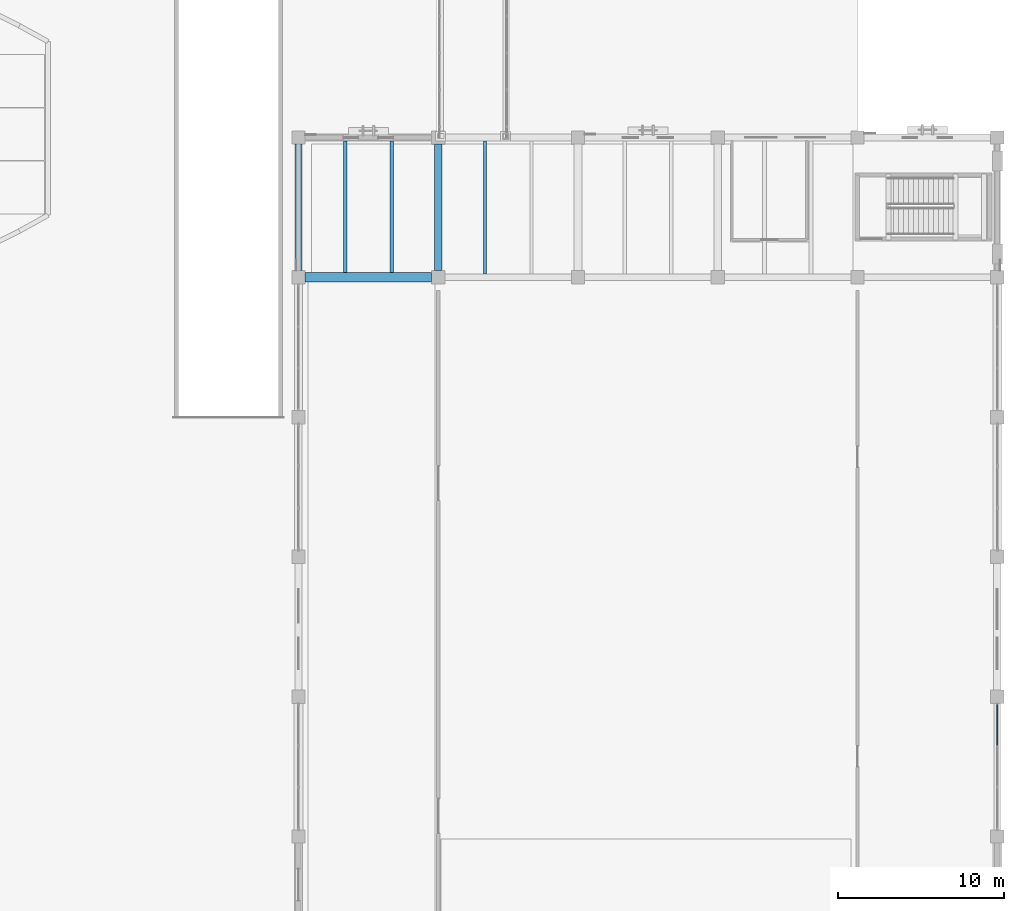
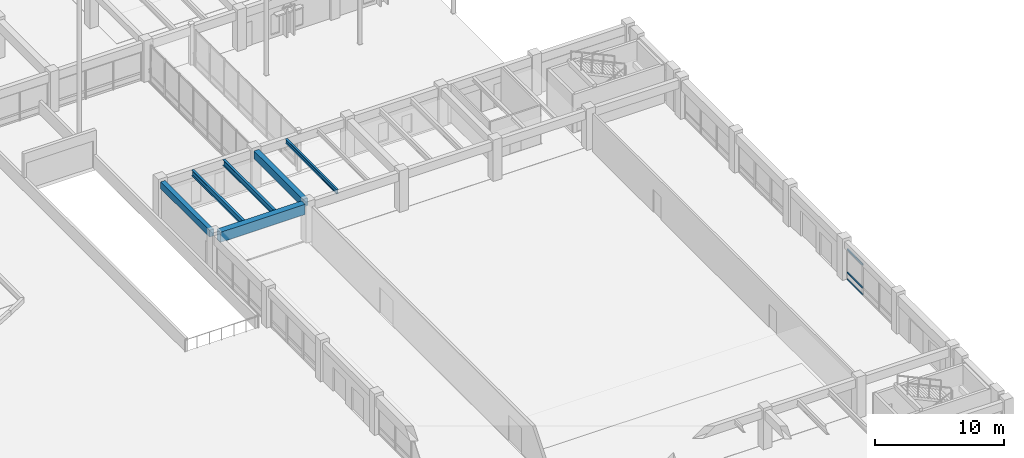
# One storey, part 55 of 135: 6 beams, 3 members, 1 element without a shape of its own.
"""IFC4 building model written with IfcOpenShell, lengths in metres."""

import ifcopenshell
import ifcopenshell.guid

model = None  # the IFC model being written
_history = None  # IfcOwnerHistory: only IFC2X3 demands one
_inside = {}  # id of a spatial element -> (the spatial element, [elements in it])
_under = {}  # id of a project, library or spatial element -> (it, [spatial elements below it])
_declared = {}  # id of a project -> (the project, [libraries it declares])
_typed = {}  # id of a type object -> (the type object, [elements of that type])
_made_of = {}  # id of a material, layer set ... -> (it, [elements and type objects made of it])


def new_model(schema):
    """Start an empty IFC model of exactly this schema.

    Asked for "IFC4X3", IfcOpenShell would pick the latest addendum, in which some entities
    have other attributes; the version numbers below select the first issue.
    IFC2X3 requires an IfcOwnerHistory on every rooted entity: one is made here for all.
    """
    global model, _history
    if schema == "IFC4X3":
        model = ifcopenshell.file(schema_version=(4, 3, 0, 0))
    else:
        model = ifcopenshell.file(schema=schema)
    _inside.clear()
    _under.clear()
    _declared.clear()
    _typed.clear()
    _made_of.clear()
    _history = None
    if model.schema == "IFC2X3":
        org = make("IfcOrganization", Name="unknown")
        user = make(
            "IfcPersonAndOrganization",
            ThePerson=make("IfcPerson", FamilyName="unknown"),
            TheOrganization=org,
        )
        app = make(
            "IfcApplication",
            ApplicationDeveloper=org,
            Version="unknown",
            ApplicationFullName="unknown",
            ApplicationIdentifier="unknown",
        )
        _history = make(
            "IfcOwnerHistory",
            OwningUser=user,
            OwningApplication=app,
            ChangeAction="ADDED",
            CreationDate=0,
        )
    return model


def make(cls, **values):
    """One entity of the class cls with the attributes given. An attribute that is None is left unset."""
    return model.create_entity(
        cls, **{name: value for name, value in values.items() if value is not None}
    )


def rooted(cls, **values):
    """An entity with a GlobalId (a new one), such as an element, a storey or a relation."""
    return make(cls, GlobalId=ifcopenshell.guid.new(), OwnerHistory=_history, **values)


def si_unit(unit_type, name, prefix=None):
    """IfcSIUnit, for example si_unit("LENGTHUNIT", "METRE", prefix="MILLI")."""
    return make("IfcSIUnit", UnitType=unit_type, Prefix=prefix, Name=name)


def assignment(units):
    """IfcUnitAssignment: the units of a project."""
    return None if units is None else make("IfcUnitAssignment", Units=units)


def point(xyz):
    """IfcCartesianPoint."""
    return None if xyz is None else make("IfcCartesianPoint", Coordinates=xyz)


def direction(xyz):
    """IfcDirection."""
    return None if xyz is None else make("IfcDirection", DirectionRatios=xyz)


def frame(location, z_axis=None, x_axis=None):
    """IfcAxis2Placement3D, a coordinate frame: its origin and axes. An axis left out is left unset."""
    return make(
        "IfcAxis2Placement3D",
        Location=point(location),
        Axis=direction(z_axis),
        RefDirection=direction(x_axis),
    )


def frame_2d(location, x_axis=None):
    """IfcAxis2Placement2D, a coordinate frame in the plane: its origin and x axis."""
    return make(
        "IfcAxis2Placement2D", Location=point(location), RefDirection=direction(x_axis)
    )


def origin():
    """The frame at (0, 0, 0) with its axes left unset."""
    return frame((0.0, 0.0, 0.0))


def origin_2d():
    """The frame at (0, 0) in the plane with its x axis left unset."""
    return frame_2d((0.0, 0.0))


def place(relative_to, where):
    """IfcLocalPlacement: puts the frame where relative to a parent placement (None: the world)."""
    return make(
        "IfcLocalPlacement", PlacementRelTo=relative_to, RelativePlacement=where
    )


def context(
    kind, dimensions, precision=None, world=None, true_north=None, identifier=None
):
    """IfcGeometricRepresentationContext, for example the 3D "Model" context."""
    return make(
        "IfcGeometricRepresentationContext",
        ContextIdentifier=identifier,
        ContextType=kind,
        CoordinateSpaceDimension=dimensions,
        Precision=precision,
        WorldCoordinateSystem=world,
        TrueNorth=true_north,
    )


def subcontext(parent, identifier, kind, view, scale=None):
    """IfcGeometricRepresentationSubContext, for example "Body" below "Model"."""
    return make(
        "IfcGeometricRepresentationSubContext",
        ContextIdentifier=identifier,
        ContextType=kind,
        ParentContext=parent,
        TargetScale=scale,
        TargetView=view,
    )


def project(units=None, contexts=None):
    """IfcProject with its units and contexts."""
    return rooted(
        "IfcProject",
        Name="project",
        RepresentationContexts=contexts,
        UnitsInContext=assignment(units),
    )


def spatial(cls, under=None, at=None, **own):
    """A site, building, storey or space (cls), placed at a placement, below another one or the project."""
    s = rooted(cls, ObjectPlacement=at, **own)
    if under is not None:
        _under.setdefault(under.id(), (under, []))[1].append(s)
    return s


def profile(cls, at=None, kind="AREA", **sizes):
    """A parametric profile (cls). Its sizes go by their IFC names, for example OverallWidth=200.0."""
    return make(cls, ProfileType=kind, Position=at, **sizes)


def rectangle(**sizes):
    """IfcRectangleProfileDef."""
    return profile("IfcRectangleProfileDef", **sizes)


def i_section(**sizes):
    """IfcIShapeProfileDef."""
    return profile("IfcIShapeProfileDef", **sizes)


def extrude(swept, where, along, depth):
    """IfcExtrudedAreaSolid: the profile swept, set in the frame where, extruded along a direction by depth."""
    return make(
        "IfcExtrudedAreaSolid",
        SweptArea=swept,
        Position=where,
        ExtrudedDirection=direction(along),
        Depth=depth,
    )


def shape(context_of_items, identifier, shape_type, items):
    """IfcShapeRepresentation: the items that make up one representation, for example the "Body"."""
    return make(
        "IfcShapeRepresentation",
        ContextOfItems=context_of_items,
        RepresentationIdentifier=identifier,
        RepresentationType=shape_type,
        Items=items,
    )


def material(Name=None, Category=None):
    """IfcMaterial."""
    return make("IfcMaterial", Name=Name, Category=Category)


def material_profile(
    of_material, cross_section, Name=None, Category=None, Priority=None
):
    """IfcMaterialProfile: a cross section and its material."""
    return make(
        "IfcMaterialProfile",
        Name=Name,
        Material=of_material,
        Profile=cross_section,
        Priority=Priority,
        Category=Category,
    )


def profile_set(profiles, Name=None, composite=None):
    """IfcMaterialProfileSet."""
    return make(
        "IfcMaterialProfileSet",
        Name=Name,
        MaterialProfiles=profiles,
        CompositeProfile=composite,
    )


def made_of(thing, what):
    """Note that an element or type object is made of a material, layer set ...; save() writes the relation."""
    if what is not None:
        _made_of.setdefault(what.id(), (what, []))[1].append(thing)
    return thing


def type_object(cls, material=None, **own):
    """A type object (cls), such as IfcWallType, which elements share."""
    return made_of(rooted(cls, **own), material)


def element(
    cls,
    number,
    at=None,
    inside=None,
    cuts=None,
    type_object=None,
    material=None,
    context=None,
    identifier="Body",
    shape_type=None,
    held_by="IfcProductDefinitionShape",
    body=None,
    shapes=None,
    **own,
):
    """One element of the class cls, such as IfcWall. Its Tag is "e" and its number.

    at: its placement. inside: the storey or other place that contains it. cuts: it is an
    opening in that element (IfcRelVoidsElement). A single representation is given by context,
    identifier, shape_type and body (its items); several are given by shapes. held_by: the class
    of the entity that holds the representations. save() writes the other relations.
    """
    e = rooted(cls, Tag="e%d" % number, ObjectPlacement=at, **own)
    if body is not None:
        shapes = [shape(context, identifier, shape_type, body)]
    if shapes is not None:
        e.Representation = make(held_by, Representations=shapes)
    if inside is not None:
        _inside.setdefault(inside.id(), (inside, []))[1].append(e)
    if cuts is not None:
        rooted(
            "IfcRelVoidsElement", RelatingBuildingElement=cuts, RelatedOpeningElement=e
        )
    if type_object is not None:
        _typed.setdefault(type_object.id(), (type_object, []))[1].append(e)
    return made_of(e, material)


def aggregate(whole, parts):
    """IfcRelAggregates: a whole, such as a stair, and the parts it consists of."""
    return rooted("IfcRelAggregates", RelatingObject=whole, RelatedObjects=parts)


def save(model, path):
    """Write the relations noted so far, then the file.

    IfcRelAggregates (storeys below a building ...), IfcRelContainedInSpatialStructure (elements
    in a storey), IfcRelDefinesByType, IfcRelAssociatesMaterial and IfcRelDeclares: one each for
    every whole, place, type object, material and project.
    """
    for whole, parts in _under.values():
        aggregate(whole, parts)
    for where, things in _inside.values():
        rooted(
            "IfcRelContainedInSpatialStructure",
            RelatedElements=things,
            RelatingStructure=where,
        )
    for kind, things in _typed.values():
        rooted("IfcRelDefinesByType", RelatedObjects=things, RelatingType=kind)
    for what, things in _made_of.values():
        rooted("IfcRelAssociatesMaterial", RelatedObjects=things, RelatingMaterial=what)
    for by, libraries in _declared.values():
        rooted("IfcRelDeclares", RelatingContext=by, RelatedDefinitions=libraries)
    model.write(path)


model = new_model("IFC4")

# Units and contexts
model_context = context("Model", 3, precision=1e-05, world=origin(), true_north=direction((0.0, 1.0)))
body_context = subcontext(model_context, "Body", "Model", "MODEL_VIEW")
ifc_project = project(units=[si_unit("LENGTHUNIT", "METRE"), si_unit("AREAUNIT", "SQUARE_METRE"), si_unit("VOLUMEUNIT", "CUBIC_METRE"), si_unit("PLANEANGLEUNIT", "RADIAN"), si_unit("MASSUNIT", "GRAM", prefix="KILO")], contexts=[model_context])

# Site, building, storey
site_placement = place(None, origin())
site = spatial("IfcSite", under=ifc_project, at=site_placement, CompositionType="ELEMENT")
building_placement = place(site_placement, origin())
building = spatial("IfcBuilding", under=site, at=building_placement, Name="Cumbredor Promenade Congress Hotel", CompositionType="ELEMENT")
storey_placement = place(building_placement, origin())
storey = spatial("IfcBuildingStorey", under=building, at=storey_placement, Name="L00", CompositionType="ELEMENT", Elevation=0.0)

# Beams
ifc_material_1 = material(Name="Concrete C40/50", Category="concrete")
ifc_material_profile_1 = material_profile(ifc_material_1, rectangle(XDim=0.39990234375, YDim=0.64990234375, at=origin_2d()), Name="RC BEAM 400x650")
ifc_profile_set_1 = profile_set([ifc_material_profile_1], Name="Concrete C40/50")
beam_type_1 = type_object("IfcBeamType", Name="BM-RC-400x650", PredefinedType="BEAM", material=ifc_profile_set_1)
beam_1_placement = place(storey_placement, frame((142.800048828125, 59.199951171875, 3.31494140625), z_axis=(0.0, 1.0, 0.0), x_axis=(-1.0, 0.0, 0.0)))
element("IfcBeam", 1, at=beam_1_placement, inside=storey, type_object=beam_type_1, Name="L01 Y-Grid Beam 222", PredefinedType="BEAM", context=body_context, shape_type="SweptSolid", body=[
    extrude(rectangle(XDim=0.39990234375, YDim=0.64990234375, at=origin_2d()), origin(), (0.0, 0.0, 1.0), 7.60009765625),
])
ifc_material_profile_2 = material_profile(ifc_material_1, rectangle(XDim=0.449951171875, YDim=0.75, at=origin_2d()), Name="RC BEAM 450x750")
ifc_profile_set_2 = profile_set([ifc_material_profile_2], Name="Concrete C40/50")
beam_type_2 = type_object("IfcBeamType", Name="BM-RC-450x750", PredefinedType="BEAM", material=ifc_profile_set_2)
beam_2_placement = place(storey_placement, frame((151.199951171875, 59.199951171875, 3.264892578125), z_axis=(0.0, 1.0, 0.0), x_axis=(-1.0, 0.0, 0.0)))
element("IfcBeam", 2, at=beam_2_placement, inside=storey, type_object=beam_type_2, Name="L01 Y-Grid Beam 231", PredefinedType="BEAM", context=body_context, shape_type="SweptSolid", body=[
    extrude(rectangle(XDim=0.449951171875, YDim=0.75, at=origin_2d()), origin(), (0.0, 0.0, 1.0), 7.60009765625),
])
ifc_material_profile_3 = material_profile(ifc_material_1, rectangle(XDim=0.550048828125, YDim=0.949951171875, at=origin_2d()), Name="RC BEAM 550x950")
ifc_profile_set_3 = profile_set([ifc_material_profile_3], Name="Concrete C40/50")
beam_type_3 = type_object("IfcBeamType", Name="BM-RC-550x950", PredefinedType="BEAM", material=ifc_profile_set_3)
beam_3_placement = place(storey_placement, frame((143.199951171875, 58.800048828125, 3.1650390625), z_axis=(1.0, 0.0, 0.0), x_axis=(0.0, 1.0, 0.0)))
element("IfcBeam", 3, at=beam_3_placement, inside=storey, type_object=beam_type_3, Name="L01 X-Grid Beam 221", PredefinedType="BEAM", context=body_context, shape_type="SweptSolid", body=[
    extrude(rectangle(XDim=0.550048828125, YDim=0.949951171875, at=origin_2d()), origin(), (0.0, 0.0, 1.0), 7.60009765625),
])

# Curtain wall, members
ifc_material_2 = material(Name="Thermally broken anodized aluminium and low-E glass", Category="aluminium")
curtain_wall_type = type_object("IfcCurtainWallType", Name="Unitised Grand Foyer Curtain Wall CW-04", PredefinedType="NOTDEFINED", material=ifc_material_2)
curtain_wall_placement = place(storey_placement, origin())
curtain_wall = element("IfcCurtainWall", 4, at=curtain_wall_placement, inside=storey, type_object=curtain_wall_type, Name="L00 Grand Ballroom Pavilion East Curtain Wall 3", PredefinedType="NOTDEFINED")
ifc_material_3 = material(Name="Thermally broken anodized aluminium", Category="aluminium")
ifc_material_profile_4 = material_profile(ifc_material_3, rectangle(XDim=0.074951171875, YDim=0.14990234375, at=origin_2d()), Name="ALU TRANSOM 75x150")
ifc_profile_set_4 = profile_set([ifc_material_profile_4], Name="Thermally broken anodized aluminium")
member_type = type_object("IfcMemberType", Name="Curtain Wall Transom TR-02", PredefinedType="USERDEFINED", material=ifc_profile_set_4)
member_1_placement = place(storey_placement, frame((184.800048828125, 30.685791015625, 0.070068359375), z_axis=(0.0, 1.0, 0.0), x_axis=(-1.0, 0.0, 0.0)))
member_1 = element("IfcMember", 5, at=member_1_placement, type_object=member_type, Name="L00 Grand Ballroom Pavilion East Curtain Wall 3 Transom 3.1", ObjectType="TRANSOM", PredefinedType="USERDEFINED", context=body_context, shape_type="SweptSolid", body=[
    extrude(rectangle(XDim=0.074951171875, YDim=0.14990234375, at=origin_2d()), origin(), (0.0, 0.0, 1.0), 2.421630859375),
])
member_2_placement = place(storey_placement, frame((184.800048828125, 30.685791015625, 0.719970703125), z_axis=(0.0, 1.0, 0.0), x_axis=(-1.0, 0.0, 0.0)))
member_2 = element("IfcMember", 6, at=member_2_placement, type_object=member_type, Name="L00 Grand Ballroom Pavilion East Curtain Wall 3 Transom 3.2", ObjectType="TRANSOM", PredefinedType="USERDEFINED", context=body_context, shape_type="SweptSolid", body=[
    extrude(rectangle(XDim=0.074951171875, YDim=0.14990234375, at=origin_2d()), origin(), (0.0, 0.0, 1.0), 2.421630859375),
])
member_3_placement = place(storey_placement, frame((184.800048828125, 30.685791015625, 2.89990234375), z_axis=(0.0, 1.0, 0.0), x_axis=(-1.0, 0.0, 0.0)))
member_3 = element("IfcMember", 7, at=member_3_placement, type_object=member_type, Name="L00 Grand Ballroom Pavilion East Curtain Wall 3 Transom 3.3", ObjectType="TRANSOM", PredefinedType="USERDEFINED", context=body_context, shape_type="SweptSolid", body=[
    extrude(rectangle(XDim=0.074951171875, YDim=0.14990234375, at=origin_2d()), origin(), (0.0, 0.0, 1.0), 2.421630859375),
])
aggregate(curtain_wall, [member_1, member_2, member_3])

# Beams
ifc_material_4 = material(Name="Steel ASTM A992 Grade 50", Category="steel")
ifc_material_profile_5 = material_profile(ifc_material_4, i_section(OverallWidth=0.180908203125, OverallDepth=0.4169921875, WebThickness=0.010986328125, FlangeThickness=0.018310546875, at=origin_2d()), Name="W16X57")
ifc_profile_set_5 = profile_set([ifc_material_profile_5], Name="Steel ASTM A992 Grade 50")
beam_type_4 = type_object("IfcBeamType", Name="JST-W16X57", PredefinedType="JOIST", material=ifc_profile_set_5)
beam_4_placement = place(storey_placement, frame((154.0, 59.0, 3.431396484375), z_axis=(0.0, 1.0, 0.0), x_axis=(-1.0, 0.0, 0.0)))
element("IfcBeam", 8, at=beam_4_placement, inside=storey, type_object=beam_type_4, Name="L01 Secondary Floor Joist 0125", PredefinedType="JOIST", context=body_context, shape_type="SweptSolid", body=[
    extrude(i_section(OverallWidth=0.180908203125, OverallDepth=0.4169921875, WebThickness=0.010986328125, FlangeThickness=0.018310546875, at=origin_2d()), origin(), (0.0, 0.0, 1.0), 8.0),
])
ifc_material_profile_6 = material_profile(ifc_material_4, i_section(OverallWidth=0.214111328125, OverallDepth=0.549072265625, WebThickness=0.0146484375, FlangeThickness=0.023681640625, at=origin_2d()), Name="W21X93")
ifc_profile_set_6 = profile_set([ifc_material_profile_6], Name="Steel ASTM A992 Grade 50")
beam_type_5 = type_object("IfcBeamType", Name="JST-W21X93", PredefinedType="JOIST", material=ifc_profile_set_6)
for number, where, z_axis, x_axis, name in (
    (9, (145.60009765625, 59.074951171875, 3.365478515625), (0.0, 1.0, 0.0), (-1.0, 0.0, 0.0), "L01 Secondary Floor Joist 0122"),
    (10, (148.39990234375, 59.074951171875, 3.365478515625), (0.0, 1.0, 0.0), (-1.0, 0.0, 0.0), "L01 Secondary Floor Joist 0123"),
):
    element("IfcBeam", number, at=place(storey_placement, frame(where, z_axis=z_axis, x_axis=x_axis)), inside=storey, type_object=beam_type_5, Name=name, PredefinedType="JOIST", context=body_context, shape_type="SweptSolid", body=[
        extrude(i_section(OverallWidth=0.214111328125, OverallDepth=0.549072265625, WebThickness=0.0146484375, FlangeThickness=0.023681640625, at=origin_2d()), origin(), (0.0, 0.0, 1.0), 7.925048828125),
    ])

save(model, "model.ifc")
